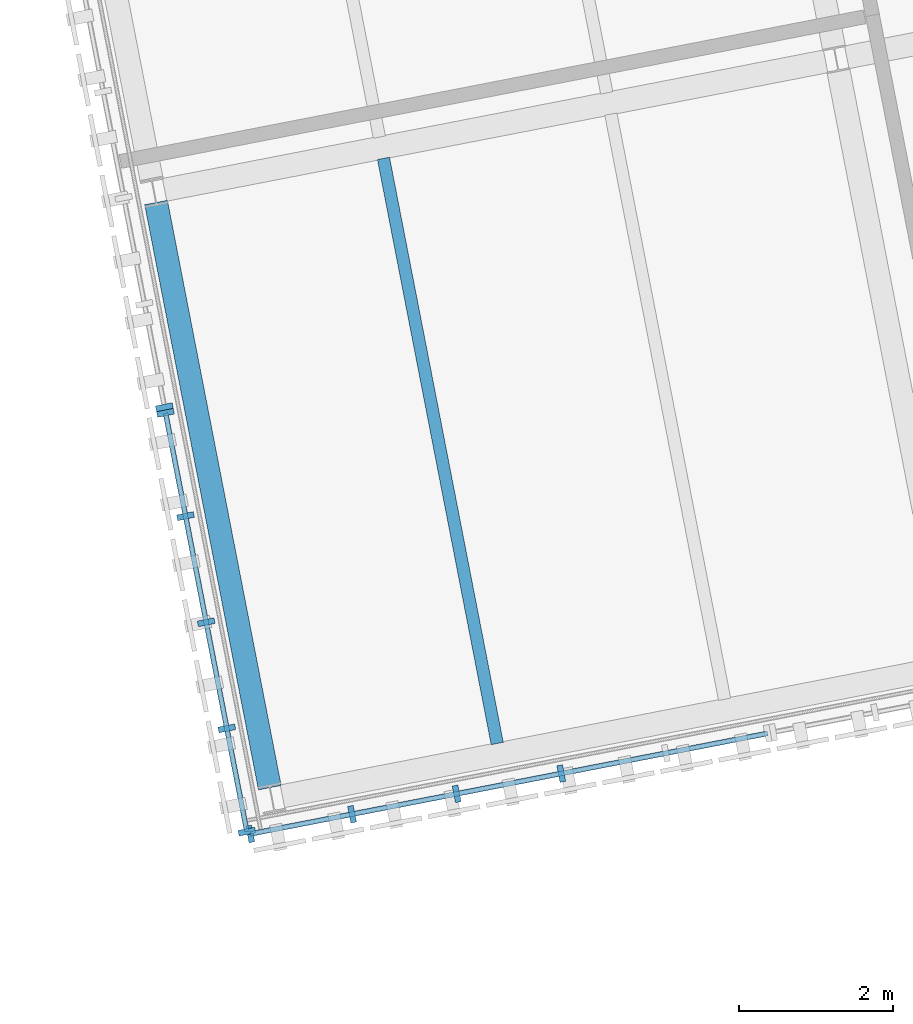
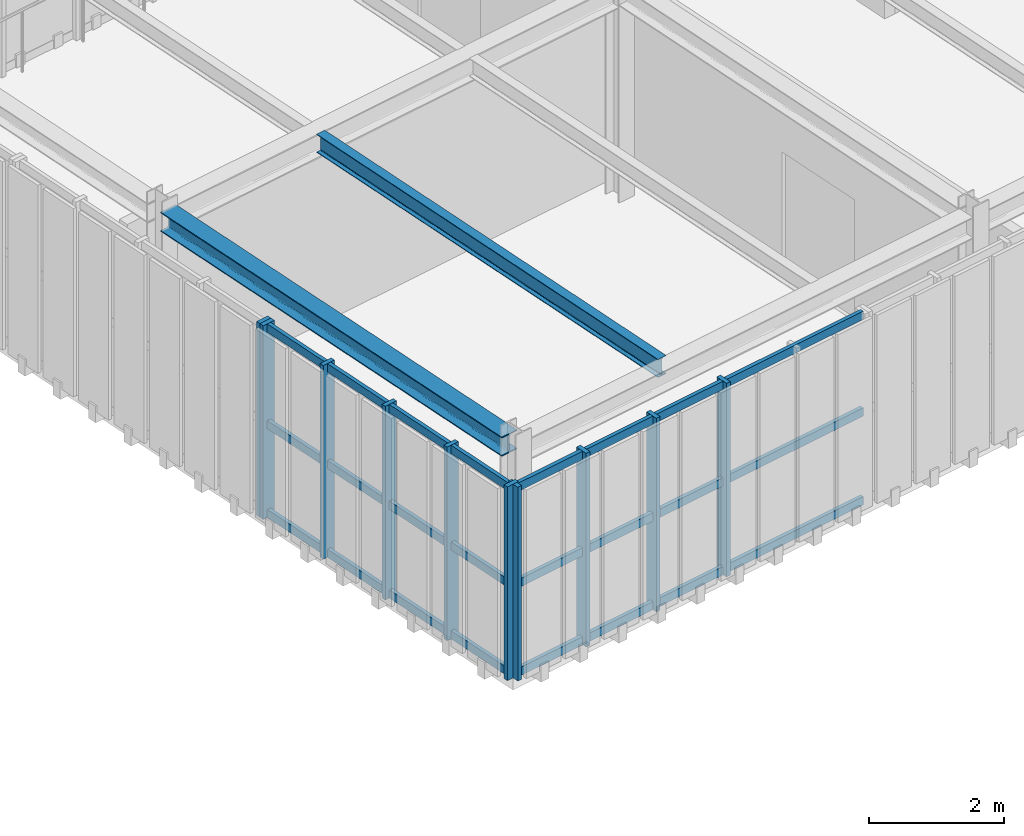
# One storey, part 16 of 59: 16 members, 2 beams, 3 elements without a shape of their own.
"""IFC4 building model written with IfcOpenShell, lengths in metres."""

from ifc_helpers import new_model, si_unit, direction, frame, origin, origin_2d, place, context, subcontext, project, spatial, rectangle, i_section, extrude, material, material_profile, profile_set, type_object, element, aggregate, save


model = new_model("IFC4")

# Units and contexts
model_context = context("Model", 3, precision=1e-05, world=origin(), true_north=direction((0.0, 1.0)))
body_context = subcontext(model_context, "Body", "Model", "MODEL_VIEW")
ifc_project = project(units=[si_unit("LENGTHUNIT", "METRE"), si_unit("AREAUNIT", "SQUARE_METRE"), si_unit("VOLUMEUNIT", "CUBIC_METRE"), si_unit("PLANEANGLEUNIT", "RADIAN"), si_unit("MASSUNIT", "GRAM", prefix="KILO")], contexts=[model_context])

# Site, building, storey
site_placement = place(None, origin())
site = spatial("IfcSite", under=ifc_project, at=site_placement, CompositionType="ELEMENT")
building_placement = place(site_placement, origin())
building = spatial("IfcBuilding", under=site, at=building_placement, Name="Varnklinge Art Gallery", CompositionType="ELEMENT")
storey_placement = place(building_placement, frame((0.0, 0.0, 9.52001953125)))
storey = spatial("IfcBuildingStorey", under=building, at=storey_placement, Name="L02", CompositionType="ELEMENT", Elevation=9.52001953125)

# Beam
ifc_material_1 = material(Name="Steel S355", Category="steel")
ifc_material_profile_1 = material_profile(ifc_material_1, i_section(OverallWidth=0.159912109375, OverallDepth=0.330078125, WebThickness=0.007568359375, FlangeThickness=0.011474609375, FilletRadius=0.01806640625, at=origin_2d()), Name="IPE 330")
ifc_profile_set_1 = profile_set([ifc_material_profile_1], Name="Steel S355")
beam_type_1 = type_object("IfcBeamType", Name="JST-07", PredefinedType="JOIST", material=ifc_profile_set_1)
beam_1_placement = place(storey_placement, frame((66.791015625, 62.800048828125, 3.794921875), z_axis=(-0.190822257393, 0.98162460548, 0.0), x_axis=(-0.98162460548, -0.190822257393, 0.0)))
element("IfcBeam", 1, at=beam_1_placement, inside=storey, type_object=beam_type_1, Name="L02 JST-07 JST-V4B-L03-0-0-1", PredefinedType="JOIST", context=body_context, shape_type="SweptSolid", body=[
    extrude(i_section(OverallWidth=0.159912109375, OverallDepth=0.330078125, WebThickness=0.007568359375, FlangeThickness=0.011474609375, FilletRadius=0.01806640625, at=origin_2d()), origin(), (0.0, 0.0, 1.0), 7.719970703125),
])

# Curtain wall, members
ifc_material_2 = material(Name="Anodised Aluminium", Category="aluminium")
curtain_wall_type_1 = type_object("IfcCurtainWallType", Name="CW-L03", PredefinedType="USERDEFINED", material=ifc_material_2)
curtain_wall_1_placement = place(storey_placement, origin())
curtain_wall_1 = element("IfcCurtainWall", 2, at=curtain_wall_1_placement, inside=storey, type_object=curtain_wall_type_1, Name="L02 Curtain Wall CW-V4B-L02-1-1-1", ObjectType="UNITISED CURTAIN WALL", PredefinedType="USERDEFINED")
ifc_material_3 = material(Name="Anodised Aluminium", Category="aluminium")
ifc_material_profile_2 = material_profile(ifc_material_3, rectangle(XDim=0.074951171875, YDim=0.219970703125, at=origin_2d()), Name="ALU 75x220")
ifc_profile_set_2 = profile_set([ifc_material_profile_2], Name="Anodised Aluminium")
member_type_1 = type_object("IfcMemberType", Name="MUL-02", PredefinedType="MULLION", material=ifc_profile_set_2)
member_1_placement = place(storey_placement, frame((63.593017578125, 61.62841796875, 0.0), z_axis=(0.0, 0.0, 1.0), x_axis=(0.981627183448, 0.190808995377, 0.0)))
member_1 = element("IfcMember", 3, at=member_1_placement, type_object=member_type_1, Name="CW-V4B-L02-1-1-1 Mullion 1", PredefinedType="MULLION", context=body_context, shape_type="SweptSolid", body=[
    extrude(rectangle(XDim=0.074951171875, YDim=0.219970703125, at=origin_2d()), origin(), (0.0, 0.0, 1.0), 3.510009765625),
])
member_2_placement = place(storey_placement, frame((64.910888671875, 61.884521484375, 0.0), z_axis=(0.0, 0.0, 1.0), x_axis=(0.981627183448, 0.190808995377, 0.0)))
member_2 = element("IfcMember", 4, at=member_2_placement, type_object=member_type_1, Name="CW-V4B-L02-1-1-1 Mullion 2", PredefinedType="MULLION", context=body_context, shape_type="SweptSolid", body=[
    extrude(rectangle(XDim=0.074951171875, YDim=0.219970703125, at=origin_2d()), origin(), (0.0, 0.0, 1.0), 3.510009765625),
])
member_3_placement = place(storey_placement, frame((66.265625, 62.147705078125, 0.0), z_axis=(0.0, 0.0, 1.0), x_axis=(0.981627183448, 0.190808995377, 0.0)))
member_3 = element("IfcMember", 5, at=member_3_placement, type_object=member_type_1, Name="CW-V4B-L02-1-1-1 Mullion 3", PredefinedType="MULLION", context=body_context, shape_type="SweptSolid", body=[
    extrude(rectangle(XDim=0.074951171875, YDim=0.219970703125, at=origin_2d()), origin(), (0.0, 0.0, 1.0), 3.510009765625),
])
member_4_placement = place(storey_placement, frame((67.6201171875, 62.4111328125, 0.0), z_axis=(0.0, 0.0, 1.0), x_axis=(0.981627183448, 0.190808995377, 0.0)))
member_4 = element("IfcMember", 6, at=member_4_placement, type_object=member_type_1, Name="CW-V4B-L02-1-1-1 Mullion 4", PredefinedType="MULLION", context=body_context, shape_type="SweptSolid", body=[
    extrude(rectangle(XDim=0.074951171875, YDim=0.219970703125, at=origin_2d()), origin(), (0.0, 0.0, 1.0), 3.510009765625),
])

# Curtain wall, member
ifc_material_4 = material(Name="Anodised Aluminium", Category="aluminium")
curtain_wall_type_2 = type_object("IfcCurtainWallType", Name="CW-L07", PredefinedType="USERDEFINED", material=ifc_material_4)
curtain_wall_2_placement = place(storey_placement, origin())
curtain_wall_2 = element("IfcCurtainWall", 7, at=curtain_wall_2_placement, inside=storey, type_object=curtain_wall_type_2, Name="L02 Curtain Wall CW-V4B-L02-4-1-2", ObjectType="UNITISED CURTAIN WALL", PredefinedType="USERDEFINED")
member_5_placement = place(storey_placement, frame((62.480712890625, 67.155029296875, 0.0), z_axis=(0.0, 0.0, 1.0), x_axis=(0.190808995377, -0.981627183448, 0.0)))
member_5 = element("IfcMember", 8, at=member_5_placement, type_object=member_type_1, Name="CW-V4B-L02-4-1-2 Mullion 5", PredefinedType="MULLION", context=body_context, shape_type="SweptSolid", body=[
    extrude(rectangle(XDim=0.074951171875, YDim=0.219970703125, at=origin_2d()), origin(), (0.0, 0.0, 1.0), 3.510009765625),
])
aggregate(curtain_wall_2, [member_5])

# Curtain wall, members
curtain_wall_3_placement = place(storey_placement, origin())
curtain_wall_3 = element("IfcCurtainWall", 9, at=curtain_wall_3_placement, inside=storey, type_object=curtain_wall_type_2, Name="L02 Curtain Wall CW-V4B-L02-4-1-3", ObjectType="UNITISED CURTAIN WALL", PredefinedType="USERDEFINED")
member_6_placement = place(storey_placement, frame((62.4951171875, 67.08154296875, 0.0), z_axis=(0.0, 0.0, 1.0), x_axis=(0.190808995377, -0.981627183448, 0.0)))
member_6 = element("IfcMember", 10, at=member_6_placement, type_object=member_type_1, Name="CW-V4B-L02-4-1-3 Mullion 1", PredefinedType="MULLION", context=body_context, shape_type="SweptSolid", body=[
    extrude(rectangle(XDim=0.074951171875, YDim=0.219970703125, at=origin_2d()), origin(), (0.0, 0.0, 1.0), 3.510009765625),
])
member_7_placement = place(storey_placement, frame((62.7548828125, 65.743896484375, 0.0), z_axis=(0.0, 0.0, 1.0), x_axis=(0.190808995377, -0.981627183448, 0.0)))
member_7 = element("IfcMember", 11, at=member_7_placement, type_object=member_type_1, Name="CW-V4B-L02-4-1-3 Mullion 2", PredefinedType="MULLION", context=body_context, shape_type="SweptSolid", body=[
    extrude(rectangle(XDim=0.074951171875, YDim=0.219970703125, at=origin_2d()), origin(), (0.0, 0.0, 1.0), 3.510009765625),
])
member_8_placement = place(storey_placement, frame((63.022216796875, 64.369873046875, 0.0), z_axis=(0.0, 0.0, 1.0), x_axis=(0.190808995377, -0.981627183448, 0.0)))
member_8 = element("IfcMember", 12, at=member_8_placement, type_object=member_type_1, Name="CW-V4B-L02-4-1-3 Mullion 3", PredefinedType="MULLION", context=body_context, shape_type="SweptSolid", body=[
    extrude(rectangle(XDim=0.074951171875, YDim=0.219970703125, at=origin_2d()), origin(), (0.0, 0.0, 1.0), 3.510009765625),
])
member_9_placement = place(storey_placement, frame((63.289306640625, 62.99560546875, 0.0), z_axis=(0.0, 0.0, 1.0), x_axis=(0.190808995377, -0.981627183448, 0.0)))
member_9 = element("IfcMember", 13, at=member_9_placement, type_object=member_type_1, Name="CW-V4B-L02-4-1-3 Mullion 4", PredefinedType="MULLION", context=body_context, shape_type="SweptSolid", body=[
    extrude(rectangle(XDim=0.074951171875, YDim=0.219970703125, at=origin_2d()), origin(), (0.0, 0.0, 1.0), 3.510009765625),
])
member_10_placement = place(storey_placement, frame((63.549072265625, 61.657958984375, 0.0), z_axis=(0.0, 0.0, 1.0), x_axis=(0.190808995377, -0.981627183448, 0.0)))
member_10 = element("IfcMember", 14, at=member_10_placement, type_object=member_type_1, Name="CW-V4B-L02-4-1-3 Mullion 5", PredefinedType="MULLION", context=body_context, shape_type="SweptSolid", body=[
    extrude(rectangle(XDim=0.074951171875, YDim=0.219970703125, at=origin_2d()), origin(), (0.0, 0.0, 1.0), 3.510009765625),
])

# Beam
ifc_material_5 = material(Name="Steel S355", Category="steel")
ifc_material_profile_3 = material_profile(ifc_material_5, i_section(OverallWidth=0.300048828125, OverallDepth=0.35009765625, WebThickness=0.010009765625, FlangeThickness=0.017578125, FilletRadius=0.027099609375, at=origin_2d()), Name="HEA 360")
ifc_profile_set_3 = profile_set([ifc_material_profile_3], Name="Steel S355")
beam_type_2 = type_object("IfcBeamType", Name="SPB-04", PredefinedType="SPANDREL", material=ifc_profile_set_3)
beam_2_placement = place(storey_placement, frame((63.845947265625, 62.2275390625, 3.784912109375), z_axis=(-0.190816333803, 0.981625756974, 0.0), x_axis=(-0.981625756974, -0.190816333803, 0.0)))
element("IfcBeam", 15, at=beam_2_placement, inside=storey, type_object=beam_type_2, Name="L02 SPB-04 BM-V4B-L03-V0-0", PredefinedType="SPANDREL", context=body_context, shape_type="SweptSolid", body=[
    extrude(i_section(OverallWidth=0.300048828125, OverallDepth=0.35009765625, WebThickness=0.010009765625, FlangeThickness=0.017578125, FilletRadius=0.027099609375, at=origin_2d()), origin(), (0.0, 0.0, 1.0), 7.72021484375),
])

# Member
ifc_material_6 = material(Name="Anodised Aluminium", Category="aluminium")
ifc_material_profile_4 = material_profile(ifc_material_6, rectangle(XDim=0.06494140625, YDim=0.14990234375, at=origin_2d()), Name="ALU 65x150")
ifc_profile_set_4 = profile_set([ifc_material_profile_4], Name="Anodised Aluminium")
member_type_2 = type_object("IfcMemberType", Name="TRN-01", PredefinedType="USERDEFINED", material=ifc_profile_set_4)
member_11_placement = place(storey_placement, frame((63.593017578125, 61.62841796875, 0.074951171875), z_axis=(0.981628419203, 0.190802637855, 0.0), x_axis=(-0.190802637855, 0.981628419203, 0.0)))
member_11 = element("IfcMember", 16, at=member_11_placement, type_object=member_type_2, Name="CW-V4B-L02-1-1-1 Transom 1", ObjectType="TRANSOM", PredefinedType="USERDEFINED", context=body_context, shape_type="SweptSolid", body=[
    extrude(rectangle(XDim=0.06494140625, YDim=0.14990234375, at=origin_2d()), origin(), (0.0, 0.0, 1.0), 6.8251953125),
])

member_12_placement = place(storey_placement, frame((63.593017578125, 61.62841796875, 1.684814453125), z_axis=(0.981628419203, 0.190802637855, 0.0), x_axis=(-0.190802637855, 0.981628419203, 0.0)))
member_12 = element("IfcMember", 17, at=member_12_placement, type_object=member_type_2, Name="CW-V4B-L02-1-1-1 Transom 2", ObjectType="TRANSOM", PredefinedType="USERDEFINED", context=body_context, shape_type="SweptSolid", body=[
    extrude(rectangle(XDim=0.06494140625, YDim=0.14990234375, at=origin_2d()), origin(), (0.0, 0.0, 1.0), 6.8251953125),
])

member_13_placement = place(storey_placement, frame((63.593017578125, 61.62841796875, 3.43505859375), z_axis=(0.981628419203, 0.190802637855, 0.0), x_axis=(-0.190802637855, 0.981628419203, 0.0)))
member_13 = element("IfcMember", 18, at=member_13_placement, type_object=member_type_2, Name="CW-V4B-L02-1-1-1 Transom 3", ObjectType="TRANSOM", PredefinedType="USERDEFINED", context=body_context, shape_type="SweptSolid", body=[
    extrude(rectangle(XDim=0.06494140625, YDim=0.14990234375, at=origin_2d()), origin(), (0.0, 0.0, 1.0), 6.8251953125),
])

aggregate(curtain_wall_1, [member_1, member_2, member_3, member_4, member_11, member_12, member_13])

member_14_placement = place(storey_placement, frame((62.4951171875, 67.08154296875, 0.074951171875), z_axis=(0.190759664241, -0.981636771163, 0.0), x_axis=(0.981636771163, 0.190759664241, 0.0)))
member_14 = element("IfcMember", 19, at=member_14_placement, type_object=member_type_2, Name="CW-V4B-L02-4-1-3 Transom 1", ObjectType="TRANSOM", PredefinedType="USERDEFINED", context=body_context, shape_type="SweptSolid", body=[
    extrude(rectangle(XDim=0.06494140625, YDim=0.14990234375, at=origin_2d()), origin(), (0.0, 0.0, 1.0), 5.525146484375),
])

member_15_placement = place(storey_placement, frame((62.4951171875, 67.08154296875, 1.684814453125), z_axis=(0.190759664241, -0.981636771163, 0.0), x_axis=(0.981636771163, 0.190759664241, 0.0)))
member_15 = element("IfcMember", 20, at=member_15_placement, type_object=member_type_2, Name="CW-V4B-L02-4-1-3 Transom 2", ObjectType="TRANSOM", PredefinedType="USERDEFINED", context=body_context, shape_type="SweptSolid", body=[
    extrude(rectangle(XDim=0.06494140625, YDim=0.14990234375, at=origin_2d()), origin(), (0.0, 0.0, 1.0), 5.525146484375),
])

member_16_placement = place(storey_placement, frame((62.4951171875, 67.08154296875, 3.43505859375), z_axis=(0.190759664241, -0.981636771163, 0.0), x_axis=(0.981636771163, 0.190759664241, 0.0)))
member_16 = element("IfcMember", 21, at=member_16_placement, type_object=member_type_2, Name="CW-V4B-L02-4-1-3 Transom 3", ObjectType="TRANSOM", PredefinedType="USERDEFINED", context=body_context, shape_type="SweptSolid", body=[
    extrude(rectangle(XDim=0.06494140625, YDim=0.14990234375, at=origin_2d()), origin(), (0.0, 0.0, 1.0), 5.525146484375),
])

aggregate(curtain_wall_3, [member_6, member_7, member_8, member_9, member_10, member_14, member_15, member_16])

save(model, "model.ifc")
